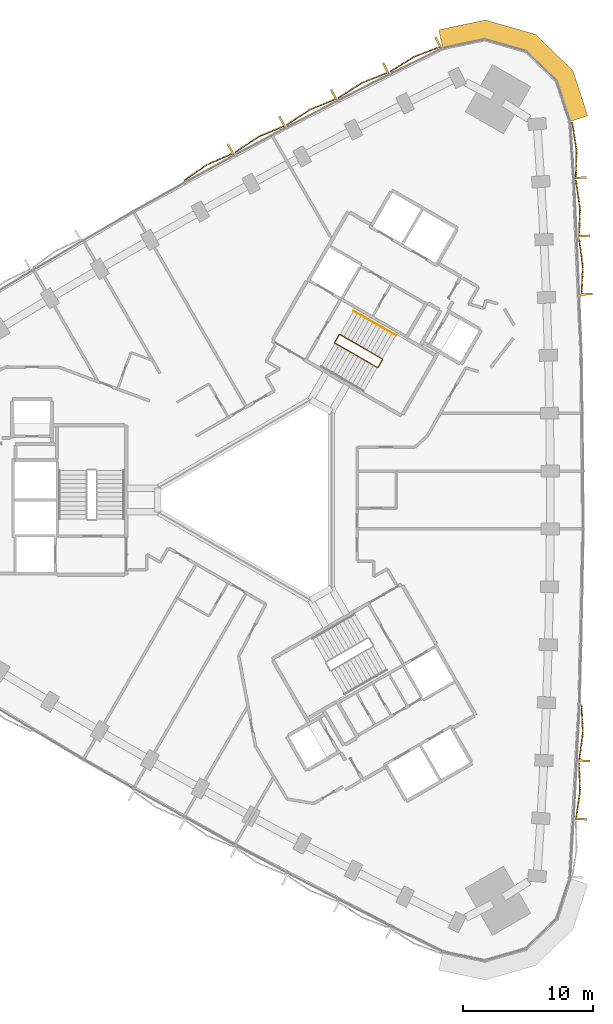
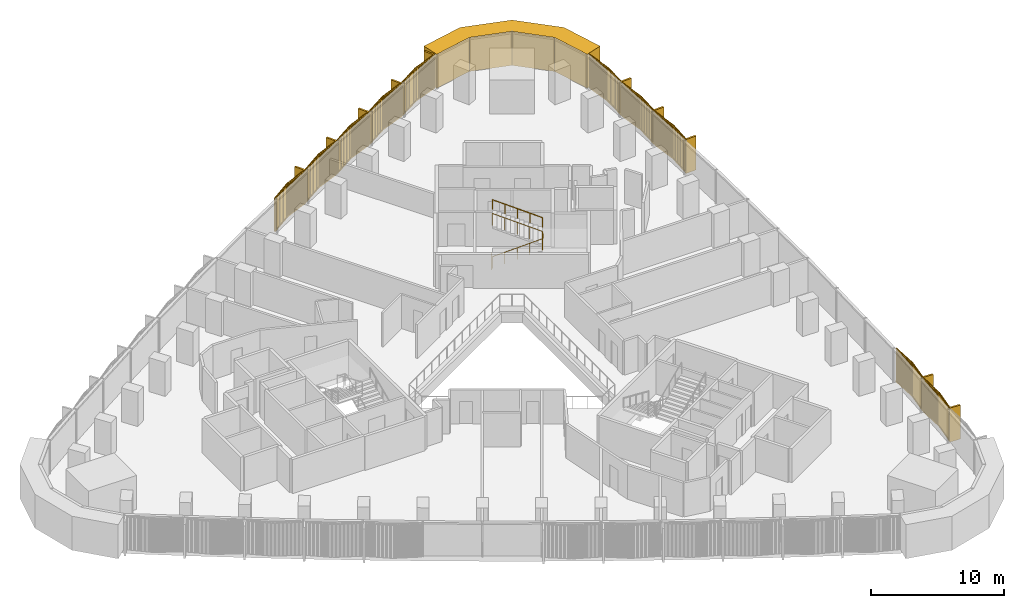
# One storey, part 15 of 15: 11 coverings, 2 railings.
"""IFC4 building model written with IfcOpenShell, lengths in metres."""

from ifc_helpers import new_model, si_unit, direction, frame, frame_2d, origin, origin_2d, place, context, subcontext, project, spatial, polyline, rectangle, circle, outline, extrude, source, transform, mapped, material, layer, layer_set, type_object, element, save


model = new_model("IFC4")

# Units and contexts
model_context = context("Model", 3, precision=1e-05, world=origin(), true_north=direction((0.0, 1.0)))
body_context = subcontext(model_context, "Body", "Model", "MODEL_VIEW")
ifc_project = project(units=[si_unit("LENGTHUNIT", "METRE"), si_unit("AREAUNIT", "SQUARE_METRE"), si_unit("VOLUMEUNIT", "CUBIC_METRE"), si_unit("PLANEANGLEUNIT", "RADIAN"), si_unit("MASSUNIT", "GRAM", prefix="KILO")], contexts=[model_context])

# Site, building, storey
site_placement = place(None, origin())
site = spatial("IfcSite", under=ifc_project, at=site_placement, CompositionType="ELEMENT")
building_placement = place(site_placement, origin())
building = spatial("IfcBuilding", under=site, at=building_placement, Name="Tamra Quay Hotel Tower", CompositionType="ELEMENT")
storey_placement = place(building_placement, frame((0.0, 0.0, 63.800048828125)))
storey = spatial("IfcBuildingStorey", under=building, at=storey_placement, Name="L14", CompositionType="ELEMENT", Elevation=63.800048828125)

# Covering
ifc_material_1 = material(Name="Precast concrete M60 terracotta-coloured", Category="masonry")
ifc_layer = layer(ifc_material_1, 1.449951171875)
ifc_layer_set = layer_set([ifc_layer], Name="CORNER PIER PANEL")
covering_type_1 = type_object("IfcCoveringType", Name="CORNER PIER PANEL", PredefinedType="CLADDING", material=ifc_layer_set)
covering_placement = place(storey_placement, origin())
element("IfcCovering", 1, at=covering_placement, inside=storey, type_object=covering_type_1, Name="Corner pier L14.east", PredefinedType="CLADDING", context=body_context, shape_type="SweptSolid", body=[
    extrude(outline(polyline([(23.40869140625, 29.210693359375), (24.78759765625, 29.658935546875), (23.65380859375, 33.148193359375), (20.75439453125, 35.947998046875), (16.88037109375, 37.058837890625), (13.29150390625, 36.296142578125), (13.593017578125, 34.877685546875), (16.828125, 35.5654296875), (20.00732421875, 34.65380859375), (22.386474609375, 32.356201171875), (23.40869140625, 29.210693359375)])), origin(), (0.0, 0.0, 1.0), 3.125),
])

# Railings
ifc_material_2 = material(Name="Stair guard 1100")
railing_type_1 = type_object("IfcRailingType", Name="Stair guard 1100", PredefinedType="GUARDRAIL", material=ifc_material_2)
railing_1_placement = place(storey_placement, frame((5.595458984375, 12.751953125, 0.0)))
element("IfcRailing", 2, at=railing_1_placement, inside=storey, type_object=railing_type_1, Name="GR", PredefinedType="GUARDRAIL", context=body_context, shape_type="SweptSolid", body=[
    extrude(circle(Radius=0.02392578125, at=origin_2d()), frame((0.0, 0.0, 1.076171875), z_axis=(-0.499765215335, -0.866160914346, 0.0), x_axis=(0.866160914346, -0.499765215335, 0.0)), (0.0, 0.0, 1.0), 0.658935546875),
    extrude(circle(Radius=0.02392578125, at=origin_2d()), frame((-0.329345703125, -0.57080078125, 1.076171875), z_axis=(0.110525977783, -0.411156637351, 0.904839338113), x_axis=(0.965715946433, 0.259601060869, 0.0)), (0.0, 0.0, 1.0), 0.165771484375),
    extrude(circle(Radius=0.02392578125, at=origin_2d()), frame((-0.31103515625, -0.638916015625, 1.22607421875), z_axis=(0.79305953016, -0.457922937641, 0.401700342053), x_axis=(0.500040788363, 0.866001853331, 0.0)), (0.0, 0.0, 1.0), 4.10791015625),
    extrude(circle(Radius=0.02392578125, at=origin_2d()), frame((2.94677734375, -2.52001953125, 2.8759765625), z_axis=(0.965948051503, 0.258736085224, 0.0), x_axis=(-0.258736085224, 0.965948051503, 0.0)), (0.0, 0.0, 1.0), 0.07080078125),
    extrude(circle(Radius=0.02392578125, at=origin_2d()), frame((3.01513671875, -2.501708984375, 2.8759765625), z_axis=(0.500043078269, 0.866000531106, 0.0), x_axis=(-0.866000531106, 0.500043078269, 0.0)), (0.0, 0.0, 1.0), 0.6591796875),
    extrude(circle(Radius=0.02392578125, at=origin_2d()), frame((3.3447265625, -1.930908203125, 2.8759765625), z_axis=(-0.110525977783, 0.411156637351, 0.904839338113), x_axis=(-0.965715946433, -0.259601060869, 0.0)), (0.0, 0.0, 1.0), 0.165771484375),
    extrude(circle(Radius=0.02392578125, at=origin_2d()), frame((3.326416015625, -1.86279296875, 3.02587890625), z_axis=(-0.793100512587, 0.457912285461, 0.401631567183), x_axis=(-0.500012686397, -0.866018079166, 0.0)), (0.0, 0.0, 1.0), 4.10791015625),
    extrude(circle(Radius=0.02099609375, at=origin_2d()), origin(), (0.0, 0.0, 1.0), 1.052001953125),
    extrude(circle(Radius=0.02099609375, at=origin_2d()), frame((-0.329345703125, -0.57080078125, 0.0)), (0.0, 0.0, 1.0), 1.052001953125),
    extrude(circle(Radius=0.02099609375, at=origin_2d()), frame((-0.31103515625, -0.638916015625, 0.14990234375)), (0.0, 0.0, 1.0), 1.052001953125),
    extrude(circle(Radius=0.02099609375, at=origin_2d()), frame((0.50341796875, -1.109130859375, 0.5625)), (0.0, 0.0, 1.0), 1.052001953125),
    extrude(circle(Radius=0.02099609375, at=origin_2d()), frame((1.31787109375, -1.57958984375, 0.97509765625)), (0.0, 0.0, 1.0), 1.052001953125),
    extrude(circle(Radius=0.02099609375, at=origin_2d()), frame((2.13232421875, -2.0498046875, 1.387451171875)), (0.0, 0.0, 1.0), 1.052001953125),
    extrude(circle(Radius=0.02099609375, at=origin_2d()), frame((2.94677734375, -2.52001953125, 1.800048828125)), (0.0, 0.0, 1.0), 1.052001953125),
    extrude(circle(Radius=0.02099609375, at=origin_2d()), frame((3.01513671875, -2.501708984375, 1.800048828125)), (0.0, 0.0, 1.0), 1.052001953125),
    extrude(circle(Radius=0.02099609375, at=origin_2d()), frame((3.3447265625, -1.930908203125, 1.800048828125)), (0.0, 0.0, 1.0), 1.052001953125),
    extrude(circle(Radius=0.02099609375, at=origin_2d()), frame((3.326416015625, -1.86279296875, 1.949951171875)), (0.0, 0.0, 1.0), 1.052001953125),
    extrude(circle(Radius=0.02099609375, at=origin_2d()), frame((2.511962890625, -1.392578125, 2.3623046875)), (0.0, 0.0, 1.0), 1.052001953125),
    extrude(circle(Radius=0.02099609375, at=origin_2d()), frame((1.697265625, -0.92236328125, 2.77490234375)), (0.0, 0.0, 1.0), 1.052001953125),
    extrude(circle(Radius=0.02099609375, at=origin_2d()), frame((0.8828125, -0.451904296875, 3.1875)), (0.0, 0.0, 1.0), 1.052001953125),
    extrude(circle(Radius=0.02099609375, at=origin_2d()), frame((0.068359375, 0.018310546875, 3.599853515625)), (0.0, 0.0, 1.0), 1.052001953125),
])
ifc_material_3 = material(Name="Stair handrail 900")
railing_type_2 = type_object("IfcRailingType", Name="Stair handrail 900", PredefinedType="HANDRAIL", material=ifc_material_3)
railing_2_placement = place(storey_placement, frame((9.971923828125, 12.7080078125, 1.949951171875)))
element("IfcRailing", 3, at=railing_2_placement, inside=storey, type_object=railing_type_2, Name="HR", PredefinedType="HANDRAIL", context=body_context, shape_type="SweptSolid", body=[
    extrude(circle(Radius=0.02392578125, at=origin_2d()), frame((0.0, 0.0, 0.8759765625), z_axis=(-0.793122095483, 0.45786531462, 0.401642496911), x_axis=(-0.499964013922, -0.86604617936, 0.0)), (0.0, 0.0, 1.0), 4.10791015625),
    extrude(circle(Radius=0.02099609375, at=origin_2d()), origin(), (0.0, 0.0, 1.0), 0.851806640625),
    extrude(circle(Radius=0.02099609375, at=origin_2d()), frame((-0.814453125, 0.47021484375, 0.41259765625)), (0.0, 0.0, 1.0), 0.851806640625),
    extrude(circle(Radius=0.02099609375, at=origin_2d()), frame((-1.62890625, 0.9404296875, 0.824951171875)), (0.0, 0.0, 1.0), 0.851806640625),
    extrude(circle(Radius=0.02099609375, at=origin_2d()), frame((-2.443603515625, 1.41064453125, 1.2373046875)), (0.0, 0.0, 1.0), 0.851806640625),
    extrude(circle(Radius=0.02099609375, at=origin_2d()), frame((-3.258056640625, 1.880859375, 1.64990234375)), (0.0, 0.0, 1.0), 0.851806640625),
])

# Coverings
ifc_material_4 = material(Name="Terracotta baguette extruded", Category="masonry")
covering_type_2 = type_object("IfcCoveringType", Name="BAGUETTE SCREEN E-V H3125", PredefinedType="USERDEFINED", material=ifc_material_4)
shared_shape_1 = source(origin(), body_context, "Body", "SweptSolid", [
    extrude(rectangle(XDim=2.2109375, YDim=0.06005859375, at=frame_2d((1.10546875, 0.030029296875))), frame((-2.207763671875, -0.057861328125, -0.1201171875), z_axis=(0.0, 0.0, 1.0), x_axis=(0.996194698092, -0.087155742748, 0.0)), (0.0, 0.0, 1.0), 0.1201171875),
    extrude(rectangle(XDim=2.2109375, YDim=0.06005859375, at=frame_2d((1.10546875, 0.030029296875))), frame((-2.207763671875, -0.057861328125, -3.125), z_axis=(0.0, 0.0, 1.0), x_axis=(0.996194698092, -0.087155742748, 0.0)), (0.0, 0.0, 1.0), 0.1201171875),
    extrude(rectangle(XDim=0.070068359375, YDim=0.10009765625, at=frame_2d((0.03515625, 0.050048828125))), frame((-2.1875, -0.13232421875, -3.06494140625)), (0.0, 0.0, 1.0), 3.0048828125),
    extrude(rectangle(XDim=0.070068359375, YDim=0.10009765625, at=frame_2d((0.03515625, 0.050048828125))), frame((-2.08740234375, -0.14111328125, -3.06494140625)), (0.0, 0.0, 1.0), 3.0048828125),
    extrude(rectangle(XDim=0.070068359375, YDim=0.10009765625, at=frame_2d((0.03515625, 0.050048828125))), frame((-1.9873046875, -0.14990234375, -3.06494140625)), (0.0, 0.0, 1.0), 3.0048828125),
    extrude(rectangle(XDim=0.070068359375, YDim=0.10009765625, at=frame_2d((0.03515625, 0.050048828125))), frame((-1.88720703125, -0.15869140625, -3.06494140625)), (0.0, 0.0, 1.0), 3.0048828125),
    extrude(rectangle(XDim=0.070068359375, YDim=0.10009765625, at=frame_2d((0.03515625, 0.050048828125))), frame((-1.787109375, -0.16748046875, -3.06494140625)), (0.0, 0.0, 1.0), 3.0048828125),
    extrude(rectangle(XDim=0.070068359375, YDim=0.10009765625, at=frame_2d((0.03515625, 0.050048828125))), frame((-1.686767578125, -0.17626953125, -3.06494140625)), (0.0, 0.0, 1.0), 3.0048828125),
    extrude(rectangle(XDim=0.070068359375, YDim=0.10009765625, at=frame_2d((0.03515625, 0.050048828125))), frame((-1.586669921875, -0.184814453125, -3.06494140625)), (0.0, 0.0, 1.0), 3.0048828125),
    extrude(rectangle(XDim=0.070068359375, YDim=0.10009765625, at=frame_2d((0.03515625, 0.050048828125))), frame((-1.486572265625, -0.193603515625, -3.06494140625)), (0.0, 0.0, 1.0), 3.0048828125),
    extrude(rectangle(XDim=0.070068359375, YDim=0.10009765625, at=frame_2d((0.03515625, 0.050048828125))), frame((-1.386474609375, -0.202392578125, -3.06494140625)), (0.0, 0.0, 1.0), 3.0048828125),
    extrude(rectangle(XDim=0.070068359375, YDim=0.10009765625, at=frame_2d((0.03515625, 0.050048828125))), frame((-1.286376953125, -0.211181640625, -3.06494140625)), (0.0, 0.0, 1.0), 3.0048828125),
    extrude(rectangle(XDim=0.070068359375, YDim=0.10009765625, at=frame_2d((0.03515625, 0.050048828125))), frame((-1.186279296875, -0.219970703125, -3.06494140625)), (0.0, 0.0, 1.0), 3.0048828125),
    extrude(rectangle(XDim=0.070068359375, YDim=0.10009765625, at=frame_2d((0.03515625, 0.050048828125))), frame((-1.086181640625, -0.228759765625, -3.06494140625)), (0.0, 0.0, 1.0), 3.0048828125),
    extrude(rectangle(XDim=0.070068359375, YDim=0.10009765625, at=frame_2d((0.03515625, 0.050048828125))), frame((-0.986083984375, -0.237548828125, -3.06494140625)), (0.0, 0.0, 1.0), 3.0048828125),
    extrude(rectangle(XDim=0.070068359375, YDim=0.10009765625, at=frame_2d((0.03515625, 0.050048828125))), frame((-0.885986328125, -0.246337890625, -3.06494140625)), (0.0, 0.0, 1.0), 3.0048828125),
    extrude(rectangle(XDim=0.070068359375, YDim=0.10009765625, at=frame_2d((0.03515625, 0.050048828125))), frame((-0.785888671875, -0.2548828125, -3.06494140625)), (0.0, 0.0, 1.0), 3.0048828125),
    extrude(rectangle(XDim=0.070068359375, YDim=0.10009765625, at=frame_2d((0.03515625, 0.050048828125))), frame((-0.685791015625, -0.263671875, -3.06494140625)), (0.0, 0.0, 1.0), 3.0048828125),
    extrude(rectangle(XDim=0.070068359375, YDim=0.10009765625, at=frame_2d((0.03515625, 0.050048828125))), frame((-0.585693359375, -0.2724609375, -3.06494140625)), (0.0, 0.0, 1.0), 3.0048828125),
    extrude(rectangle(XDim=0.070068359375, YDim=0.10009765625, at=frame_2d((0.03515625, 0.050048828125))), frame((-0.485595703125, -0.28125, -3.06494140625)), (0.0, 0.0, 1.0), 3.0048828125),
    extrude(rectangle(XDim=0.070068359375, YDim=0.10009765625, at=frame_2d((0.03515625, 0.050048828125))), frame((-0.385498046875, -0.2900390625, -3.06494140625)), (0.0, 0.0, 1.0), 3.0048828125),
    extrude(rectangle(XDim=0.070068359375, YDim=0.10009765625, at=frame_2d((0.03515625, 0.050048828125))), frame((-0.285400390625, -0.298828125, -3.06494140625)), (0.0, 0.0, 1.0), 3.0048828125),
    extrude(rectangle(XDim=0.070068359375, YDim=0.10009765625, at=frame_2d((0.03515625, 0.050048828125))), frame((-0.18505859375, -0.3076171875, -3.06494140625)), (0.0, 0.0, 1.0), 3.0048828125),
    extrude(rectangle(XDim=0.070068359375, YDim=0.10009765625, at=frame_2d((0.03515625, 0.050048828125))), frame((-0.0849609375, -0.31640625, -3.06494140625)), (0.0, 0.0, 1.0), 3.0048828125),
    extrude(rectangle(XDim=2.2109375, YDim=0.06005859375, at=frame_2d((1.10546875, 0.030029296875))), frame((0.005126953125, -0.25048828125, -0.1201171875), z_axis=(0.0, 0.0, 1.0), x_axis=(0.996194698092, 0.087155742748, 0.0)), (0.0, 0.0, 1.0), 0.1201171875),
    extrude(rectangle(XDim=2.2109375, YDim=0.06005859375, at=frame_2d((1.10546875, 0.030029296875))), frame((0.005126953125, -0.25048828125, -3.125), z_axis=(0.0, 0.0, 1.0), x_axis=(0.996194698092, 0.087155742748, 0.0)), (0.0, 0.0, 1.0), 0.1201171875),
    extrude(rectangle(XDim=0.070068359375, YDim=0.10009765625, at=frame_2d((0.03515625, 0.050048828125))), frame((0.01513671875, -0.31640625, -3.06494140625)), (0.0, 0.0, 1.0), 3.0048828125),
    extrude(rectangle(XDim=0.070068359375, YDim=0.10009765625, at=frame_2d((0.03515625, 0.050048828125))), frame((0.115234375, -0.3076171875, -3.06494140625)), (0.0, 0.0, 1.0), 3.0048828125),
    extrude(rectangle(XDim=0.070068359375, YDim=0.10009765625, at=frame_2d((0.03515625, 0.050048828125))), frame((0.21533203125, -0.298828125, -3.06494140625)), (0.0, 0.0, 1.0), 3.0048828125),
    extrude(rectangle(XDim=0.070068359375, YDim=0.10009765625, at=frame_2d((0.03515625, 0.050048828125))), frame((0.3154296875, -0.2900390625, -3.06494140625)), (0.0, 0.0, 1.0), 3.0048828125),
    extrude(rectangle(XDim=0.070068359375, YDim=0.10009765625, at=frame_2d((0.03515625, 0.050048828125))), frame((0.41552734375, -0.28125, -3.06494140625)), (0.0, 0.0, 1.0), 3.0048828125),
    extrude(rectangle(XDim=0.070068359375, YDim=0.10009765625, at=frame_2d((0.03515625, 0.050048828125))), frame((0.515625, -0.2724609375, -3.06494140625)), (0.0, 0.0, 1.0), 3.0048828125),
    extrude(rectangle(XDim=0.070068359375, YDim=0.10009765625, at=frame_2d((0.03515625, 0.050048828125))), frame((0.61572265625, -0.263671875, -3.06494140625)), (0.0, 0.0, 1.0), 3.0048828125),
    extrude(rectangle(XDim=0.070068359375, YDim=0.10009765625, at=frame_2d((0.03515625, 0.050048828125))), frame((0.7158203125, -0.2548828125, -3.06494140625)), (0.0, 0.0, 1.0), 3.0048828125),
    extrude(rectangle(XDim=0.070068359375, YDim=0.10009765625, at=frame_2d((0.03515625, 0.050048828125))), frame((0.81591796875, -0.246337890625, -3.06494140625)), (0.0, 0.0, 1.0), 3.0048828125),
    extrude(rectangle(XDim=0.070068359375, YDim=0.10009765625, at=frame_2d((0.03515625, 0.050048828125))), frame((0.916015625, -0.237548828125, -3.06494140625)), (0.0, 0.0, 1.0), 3.0048828125),
    extrude(rectangle(XDim=0.070068359375, YDim=0.10009765625, at=frame_2d((0.03515625, 0.050048828125))), frame((1.01611328125, -0.228759765625, -3.06494140625)), (0.0, 0.0, 1.0), 3.0048828125),
    extrude(rectangle(XDim=0.070068359375, YDim=0.10009765625, at=frame_2d((0.03515625, 0.050048828125))), frame((1.1162109375, -0.219970703125, -3.06494140625)), (0.0, 0.0, 1.0), 3.0048828125),
    extrude(rectangle(XDim=0.070068359375, YDim=0.10009765625, at=frame_2d((0.03515625, 0.050048828125))), frame((1.21630859375, -0.211181640625, -3.06494140625)), (0.0, 0.0, 1.0), 3.0048828125),
    extrude(rectangle(XDim=0.070068359375, YDim=0.10009765625, at=frame_2d((0.03515625, 0.050048828125))), frame((1.316650390625, -0.202392578125, -3.06494140625)), (0.0, 0.0, 1.0), 3.0048828125),
    extrude(rectangle(XDim=0.070068359375, YDim=0.10009765625, at=frame_2d((0.03515625, 0.050048828125))), frame((1.416748046875, -0.193603515625, -3.06494140625)), (0.0, 0.0, 1.0), 3.0048828125),
    extrude(rectangle(XDim=0.070068359375, YDim=0.10009765625, at=frame_2d((0.03515625, 0.050048828125))), frame((1.516845703125, -0.184814453125, -3.06494140625)), (0.0, 0.0, 1.0), 3.0048828125),
    extrude(rectangle(XDim=0.070068359375, YDim=0.10009765625, at=frame_2d((0.03515625, 0.050048828125))), frame((1.616943359375, -0.17626953125, -3.06494140625)), (0.0, 0.0, 1.0), 3.0048828125),
    extrude(rectangle(XDim=0.070068359375, YDim=0.10009765625, at=frame_2d((0.03515625, 0.050048828125))), frame((1.717041015625, -0.16748046875, -3.06494140625)), (0.0, 0.0, 1.0), 3.0048828125),
    extrude(rectangle(XDim=0.070068359375, YDim=0.10009765625, at=frame_2d((0.03515625, 0.050048828125))), frame((1.817138671875, -0.15869140625, -3.06494140625)), (0.0, 0.0, 1.0), 3.0048828125),
    extrude(rectangle(XDim=0.070068359375, YDim=0.10009765625, at=frame_2d((0.03515625, 0.050048828125))), frame((1.917236328125, -0.14990234375, -3.06494140625)), (0.0, 0.0, 1.0), 3.0048828125),
    extrude(rectangle(XDim=0.070068359375, YDim=0.10009765625, at=frame_2d((0.03515625, 0.050048828125))), frame((2.017333984375, -0.14111328125, -3.06494140625)), (0.0, 0.0, 1.0), 3.0048828125),
    extrude(rectangle(XDim=0.070068359375, YDim=0.10009765625, at=frame_2d((0.03515625, 0.050048828125))), frame((2.117431640625, -0.13232421875, -3.06494140625)), (0.0, 0.0, 1.0), 3.0048828125),
    extrude(rectangle(XDim=0.14990234375, YDim=0.902099609375, at=frame_2d((0.074951171875, 0.451171875))), frame((-2.202392578125, -0.89990234375, -3.125)), (0.0, 0.0, 1.0), 3.125),
])
for number, where, z_axis, x_axis, name in (
    (4, (23.939453125, -22.484130859375, 3.125), (0.0, 0.0, 1.0), (0.054062119595, 0.998537574268, 0.0), "Baguette screen L14.E.f01"),
    (5, (24.158447265625, -17.990234375, 3.125), (0.0, 0.0, 1.0), (0.043285462035, 0.999062745165, 0.0), "Baguette screen L14.E.f02"),
    (6, (24.158447265625, 17.990234375, 3.125), (0.0, 0.0, 1.0), (-0.043285462035, 0.999062745165, 0.0), "Baguette screen L14.E.f10"),
    (7, (23.939453125, 22.484130859375, 3.125), (0.0, 0.0, 1.0), (-0.054062119595, 0.998537574268, 0.0), "Baguette screen L14.E.f11"),
    (8, (23.672119140625, 26.97509765625, 3.125), (0.0, 0.0, 1.0), (-0.064813097616, 0.997897420769, 0.0), "Baguette screen L14.E.f12"),
):
    element("IfcCovering", number, at=place(storey_placement, frame(where, z_axis=z_axis, x_axis=x_axis)), inside=storey, type_object=covering_type_2, Name=name, ObjectType="BAGUETTE SCREEN", PredefinedType="USERDEFINED", context=body_context, shape_type="MappedRepresentation", body=[
        mapped(shared_shape_1, transform((0.0, 0.0, 0.0), scale=1.0)),
    ])
covering_type_3 = type_object("IfcCoveringType", Name="BAGUETTE SCREEN NW-V H3125", PredefinedType="USERDEFINED", material=ifc_material_4)
shared_shape_2 = source(origin(), body_context, "Body", "SweptSolid", [
    extrude(rectangle(XDim=2.212646484375, YDim=0.06005859375, at=frame_2d((1.1064453125, 0.030029296875))), frame((-2.208251953125, -0.0576171875, -0.1201171875), z_axis=(0.0, 0.0, 1.0), x_axis=(0.995396198367, -0.09584575252, 0.0)), (0.0, 0.0, 1.0), 0.1201171875),
    extrude(rectangle(XDim=2.212646484375, YDim=0.06005859375, at=frame_2d((1.1064453125, 0.030029296875))), frame((-2.208251953125, -0.0576171875, -3.125), z_axis=(0.0, 0.0, 1.0), x_axis=(0.995396198367, -0.09584575252, 0.0)), (0.0, 0.0, 1.0), 0.1201171875),
    extrude(rectangle(XDim=0.070068359375, YDim=0.10009765625, at=frame_2d((0.03515625, 0.050048828125))), frame((-2.1875, -0.1328125, -3.06494140625)), (0.0, 0.0, 1.0), 3.0048828125),
    extrude(rectangle(XDim=0.070068359375, YDim=0.10009765625, at=frame_2d((0.03515625, 0.050048828125))), frame((-2.08740234375, -0.142578125, -3.06494140625)), (0.0, 0.0, 1.0), 3.0048828125),
    extrude(rectangle(XDim=0.070068359375, YDim=0.10009765625, at=frame_2d((0.03515625, 0.050048828125))), frame((-1.9873046875, -0.152099609375, -3.06494140625)), (0.0, 0.0, 1.0), 3.0048828125),
    extrude(rectangle(XDim=0.070068359375, YDim=0.10009765625, at=frame_2d((0.03515625, 0.050048828125))), frame((-1.88720703125, -0.16162109375, -3.06494140625)), (0.0, 0.0, 1.0), 3.0048828125),
    extrude(rectangle(XDim=0.070068359375, YDim=0.10009765625, at=frame_2d((0.03515625, 0.050048828125))), frame((-1.787109375, -0.17138671875, -3.06494140625)), (0.0, 0.0, 1.0), 3.0048828125),
    extrude(rectangle(XDim=0.070068359375, YDim=0.10009765625, at=frame_2d((0.03515625, 0.050048828125))), frame((-1.686767578125, -0.180908203125, -3.06494140625)), (0.0, 0.0, 1.0), 3.0048828125),
    extrude(rectangle(XDim=0.070068359375, YDim=0.10009765625, at=frame_2d((0.03515625, 0.050048828125))), frame((-1.586669921875, -0.190673828125, -3.06494140625)), (0.0, 0.0, 1.0), 3.0048828125),
    extrude(rectangle(XDim=0.070068359375, YDim=0.10009765625, at=frame_2d((0.03515625, 0.050048828125))), frame((-1.486572265625, -0.2001953125, -3.06494140625)), (0.0, 0.0, 1.0), 3.0048828125),
    extrude(rectangle(XDim=0.070068359375, YDim=0.10009765625, at=frame_2d((0.03515625, 0.050048828125))), frame((-1.386474609375, -0.2099609375, -3.06494140625)), (0.0, 0.0, 1.0), 3.0048828125),
    extrude(rectangle(XDim=0.070068359375, YDim=0.10009765625, at=frame_2d((0.03515625, 0.050048828125))), frame((-1.286376953125, -0.219482421875, -3.06494140625)), (0.0, 0.0, 1.0), 3.0048828125),
    extrude(rectangle(XDim=0.070068359375, YDim=0.10009765625, at=frame_2d((0.03515625, 0.050048828125))), frame((-1.186279296875, -0.229248046875, -3.06494140625)), (0.0, 0.0, 1.0), 3.0048828125),
    extrude(rectangle(XDim=0.070068359375, YDim=0.10009765625, at=frame_2d((0.03515625, 0.050048828125))), frame((-1.086181640625, -0.23876953125, -3.06494140625)), (0.0, 0.0, 1.0), 3.0048828125),
    extrude(rectangle(XDim=0.070068359375, YDim=0.10009765625, at=frame_2d((0.03515625, 0.050048828125))), frame((-0.986083984375, -0.24853515625, -3.06494140625)), (0.0, 0.0, 1.0), 3.0048828125),
    extrude(rectangle(XDim=0.070068359375, YDim=0.10009765625, at=frame_2d((0.03515625, 0.050048828125))), frame((-0.885986328125, -0.258056640625, -3.06494140625)), (0.0, 0.0, 1.0), 3.0048828125),
    extrude(rectangle(XDim=0.070068359375, YDim=0.10009765625, at=frame_2d((0.03515625, 0.050048828125))), frame((-0.785888671875, -0.267822265625, -3.06494140625)), (0.0, 0.0, 1.0), 3.0048828125),
    extrude(rectangle(XDim=0.070068359375, YDim=0.10009765625, at=frame_2d((0.03515625, 0.050048828125))), frame((-0.685791015625, -0.27734375, -3.06494140625)), (0.0, 0.0, 1.0), 3.0048828125),
    extrude(rectangle(XDim=0.070068359375, YDim=0.10009765625, at=frame_2d((0.03515625, 0.050048828125))), frame((-0.585693359375, -0.287109375, -3.06494140625)), (0.0, 0.0, 1.0), 3.0048828125),
    extrude(rectangle(XDim=0.070068359375, YDim=0.10009765625, at=frame_2d((0.03515625, 0.050048828125))), frame((-0.485595703125, -0.296630859375, -3.06494140625)), (0.0, 0.0, 1.0), 3.0048828125),
    extrude(rectangle(XDim=0.070068359375, YDim=0.10009765625, at=frame_2d((0.03515625, 0.050048828125))), frame((-0.385498046875, -0.306396484375, -3.06494140625)), (0.0, 0.0, 1.0), 3.0048828125),
    extrude(rectangle(XDim=0.070068359375, YDim=0.10009765625, at=frame_2d((0.03515625, 0.050048828125))), frame((-0.285400390625, -0.31591796875, -3.06494140625)), (0.0, 0.0, 1.0), 3.0048828125),
    extrude(rectangle(XDim=0.070068359375, YDim=0.10009765625, at=frame_2d((0.03515625, 0.050048828125))), frame((-0.18505859375, -0.32568359375, -3.06494140625)), (0.0, 0.0, 1.0), 3.0048828125),
    extrude(rectangle(XDim=0.070068359375, YDim=0.10009765625, at=frame_2d((0.03515625, 0.050048828125))), frame((-0.0849609375, -0.335205078125, -3.06494140625)), (0.0, 0.0, 1.0), 3.0048828125),
    extrude(rectangle(XDim=2.212646484375, YDim=0.06005859375, at=frame_2d((1.1064453125, 0.030029296875))), frame((0.005859375, -0.269775390625, -0.1201171875), z_axis=(0.0, 0.0, 1.0), x_axis=(0.995396198367, 0.09584575252, 0.0)), (0.0, 0.0, 1.0), 0.1201171875),
    extrude(rectangle(XDim=2.212646484375, YDim=0.06005859375, at=frame_2d((1.1064453125, 0.030029296875))), frame((0.005859375, -0.269775390625, -3.125), z_axis=(0.0, 0.0, 1.0), x_axis=(0.995396198367, 0.09584575252, 0.0)), (0.0, 0.0, 1.0), 0.1201171875),
    extrude(rectangle(XDim=0.070068359375, YDim=0.10009765625, at=frame_2d((0.03515625, 0.050048828125))), frame((0.01513671875, -0.335205078125, -3.06494140625)), (0.0, 0.0, 1.0), 3.0048828125),
    extrude(rectangle(XDim=0.070068359375, YDim=0.10009765625, at=frame_2d((0.03515625, 0.050048828125))), frame((0.115234375, -0.32568359375, -3.06494140625)), (0.0, 0.0, 1.0), 3.0048828125),
    extrude(rectangle(XDim=0.070068359375, YDim=0.10009765625, at=frame_2d((0.03515625, 0.050048828125))), frame((0.21533203125, -0.31591796875, -3.06494140625)), (0.0, 0.0, 1.0), 3.0048828125),
    extrude(rectangle(XDim=0.070068359375, YDim=0.10009765625, at=frame_2d((0.03515625, 0.050048828125))), frame((0.3154296875, -0.306396484375, -3.06494140625)), (0.0, 0.0, 1.0), 3.0048828125),
    extrude(rectangle(XDim=0.070068359375, YDim=0.10009765625, at=frame_2d((0.03515625, 0.050048828125))), frame((0.41552734375, -0.296630859375, -3.06494140625)), (0.0, 0.0, 1.0), 3.0048828125),
    extrude(rectangle(XDim=0.070068359375, YDim=0.10009765625, at=frame_2d((0.03515625, 0.050048828125))), frame((0.515625, -0.287109375, -3.06494140625)), (0.0, 0.0, 1.0), 3.0048828125),
    extrude(rectangle(XDim=0.070068359375, YDim=0.10009765625, at=frame_2d((0.03515625, 0.050048828125))), frame((0.61572265625, -0.27734375, -3.06494140625)), (0.0, 0.0, 1.0), 3.0048828125),
    extrude(rectangle(XDim=0.070068359375, YDim=0.10009765625, at=frame_2d((0.03515625, 0.050048828125))), frame((0.7158203125, -0.267822265625, -3.06494140625)), (0.0, 0.0, 1.0), 3.0048828125),
    extrude(rectangle(XDim=0.070068359375, YDim=0.10009765625, at=frame_2d((0.03515625, 0.050048828125))), frame((0.81591796875, -0.258056640625, -3.06494140625)), (0.0, 0.0, 1.0), 3.0048828125),
    extrude(rectangle(XDim=0.070068359375, YDim=0.10009765625, at=frame_2d((0.03515625, 0.050048828125))), frame((0.916015625, -0.24853515625, -3.06494140625)), (0.0, 0.0, 1.0), 3.0048828125),
    extrude(rectangle(XDim=0.070068359375, YDim=0.10009765625, at=frame_2d((0.03515625, 0.050048828125))), frame((1.01611328125, -0.23876953125, -3.06494140625)), (0.0, 0.0, 1.0), 3.0048828125),
    extrude(rectangle(XDim=0.070068359375, YDim=0.10009765625, at=frame_2d((0.03515625, 0.050048828125))), frame((1.1162109375, -0.229248046875, -3.06494140625)), (0.0, 0.0, 1.0), 3.0048828125),
    extrude(rectangle(XDim=0.070068359375, YDim=0.10009765625, at=frame_2d((0.03515625, 0.050048828125))), frame((1.21630859375, -0.219482421875, -3.06494140625)), (0.0, 0.0, 1.0), 3.0048828125),
    extrude(rectangle(XDim=0.070068359375, YDim=0.10009765625, at=frame_2d((0.03515625, 0.050048828125))), frame((1.316650390625, -0.2099609375, -3.06494140625)), (0.0, 0.0, 1.0), 3.0048828125),
    extrude(rectangle(XDim=0.070068359375, YDim=0.10009765625, at=frame_2d((0.03515625, 0.050048828125))), frame((1.416748046875, -0.2001953125, -3.06494140625)), (0.0, 0.0, 1.0), 3.0048828125),
    extrude(rectangle(XDim=0.070068359375, YDim=0.10009765625, at=frame_2d((0.03515625, 0.050048828125))), frame((1.516845703125, -0.190673828125, -3.06494140625)), (0.0, 0.0, 1.0), 3.0048828125),
    extrude(rectangle(XDim=0.070068359375, YDim=0.10009765625, at=frame_2d((0.03515625, 0.050048828125))), frame((1.616943359375, -0.180908203125, -3.06494140625)), (0.0, 0.0, 1.0), 3.0048828125),
    extrude(rectangle(XDim=0.070068359375, YDim=0.10009765625, at=frame_2d((0.03515625, 0.050048828125))), frame((1.717041015625, -0.17138671875, -3.06494140625)), (0.0, 0.0, 1.0), 3.0048828125),
    extrude(rectangle(XDim=0.070068359375, YDim=0.10009765625, at=frame_2d((0.03515625, 0.050048828125))), frame((1.817138671875, -0.16162109375, -3.06494140625)), (0.0, 0.0, 1.0), 3.0048828125),
    extrude(rectangle(XDim=0.070068359375, YDim=0.10009765625, at=frame_2d((0.03515625, 0.050048828125))), frame((1.917236328125, -0.152099609375, -3.06494140625)), (0.0, 0.0, 1.0), 3.0048828125),
    extrude(rectangle(XDim=0.070068359375, YDim=0.10009765625, at=frame_2d((0.03515625, 0.050048828125))), frame((2.017333984375, -0.142578125, -3.06494140625)), (0.0, 0.0, 1.0), 3.0048828125),
    extrude(rectangle(XDim=0.070068359375, YDim=0.10009765625, at=frame_2d((0.03515625, 0.050048828125))), frame((2.117431640625, -0.1328125, -3.06494140625)), (0.0, 0.0, 1.0), 3.0048828125),
    extrude(rectangle(XDim=0.14990234375, YDim=0.902099609375, at=frame_2d((0.074951171875, 0.451171875))), frame((-2.202392578125, -0.89990234375, -3.125)), (0.0, 0.0, 1.0), 3.125),
])
for number, where, z_axis, x_axis, name in (
    (9, (11.52490234375, 33.988037109375, 3.125), (0.0, 0.0, 1.0), (-0.896611065565, -0.442818921351, 0.0), "Baguette screen L14.NW.f00"),
    (10, (7.501953125, 31.97412109375, 3.125), (0.0, 0.0, 1.0), (-0.891789965747, -0.452449618182, 0.0), "Baguette screen L14.NW.f01"),
    (11, (3.500732421875, 29.9169921875, 3.125), (0.0, 0.0, 1.0), (-0.886856448305, -0.462045062846, 0.0), "Baguette screen L14.NW.f02"),
    (12, (-0.4775390625, 27.81689453125, 3.125), (0.0, 0.0, 1.0), (-0.881806022199, -0.47161227636, 0.0), "Baguette screen L14.NW.f03"),
    (13, (-4.43359375, 25.67333984375, 3.125), (0.0, 0.0, 1.0), (-0.876650997922, -0.481126831347, 0.0), "Baguette screen L14.NW.f04"),
):
    element("IfcCovering", number, at=place(storey_placement, frame(where, z_axis=z_axis, x_axis=x_axis)), inside=storey, type_object=covering_type_3, Name=name, ObjectType="BAGUETTE SCREEN", PredefinedType="USERDEFINED", context=body_context, shape_type="MappedRepresentation", body=[
        mapped(shared_shape_2, transform((0.0, 0.0, 0.0), scale=1.0)),
    ])

save(model, "model.ifc")
